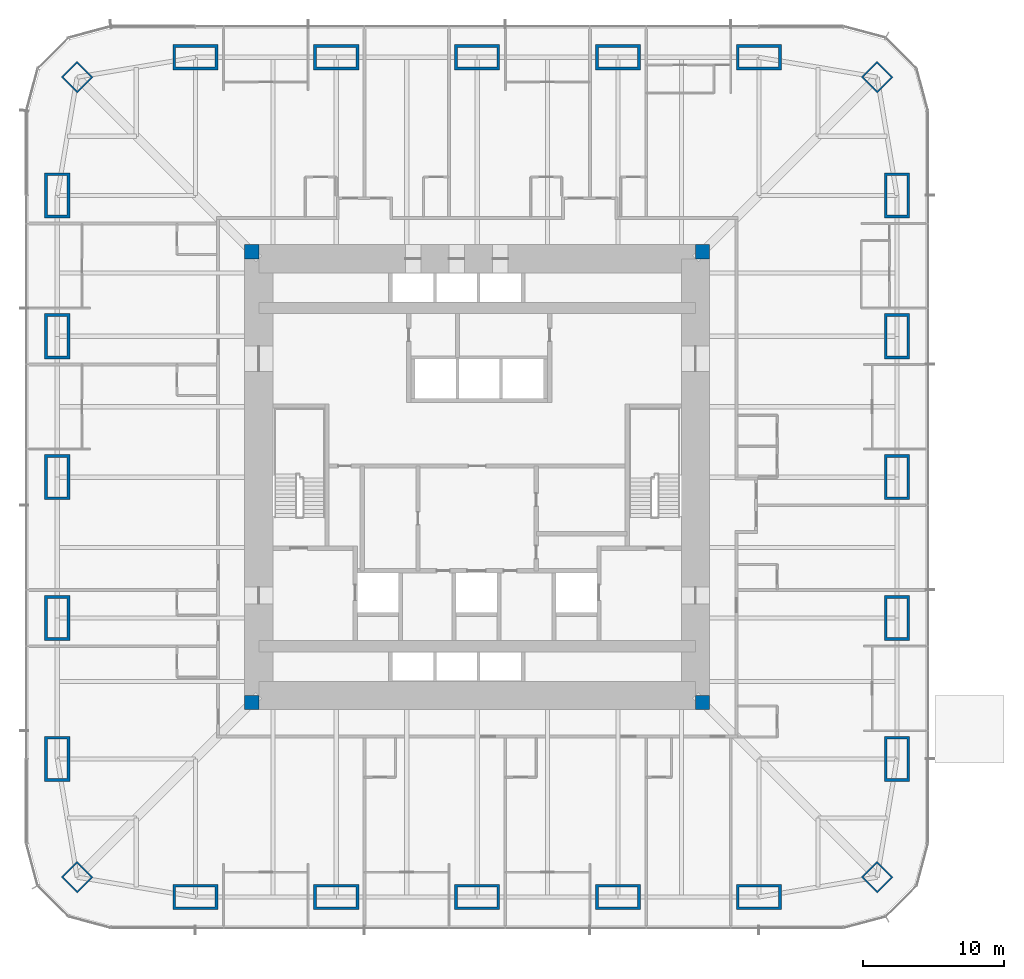
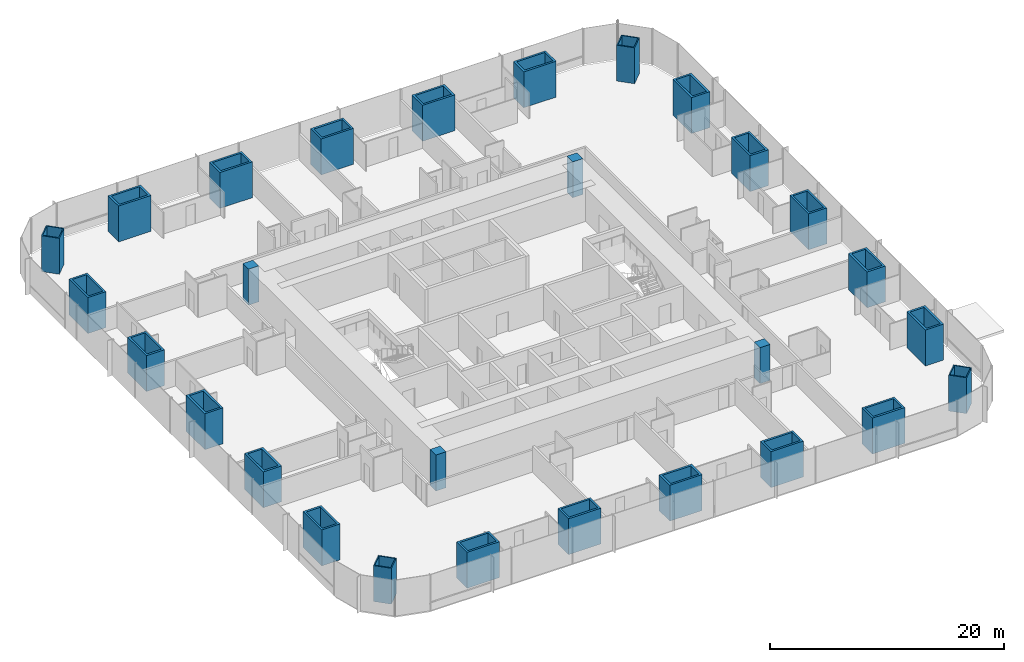
# One storey, part 1 of 20: 28 columns.
"""IFC4 building model written with IfcOpenShell, lengths in metres."""

import ifcopenshell
import ifcopenshell.guid

model = None  # the IFC model being written
_history = None  # IfcOwnerHistory: only IFC2X3 demands one
_inside = {}  # id of a spatial element -> (the spatial element, [elements in it])
_under = {}  # id of a project, library or spatial element -> (it, [spatial elements below it])
_declared = {}  # id of a project -> (the project, [libraries it declares])
_typed = {}  # id of a type object -> (the type object, [elements of that type])
_made_of = {}  # id of a material, layer set ... -> (it, [elements and type objects made of it])


def new_model(schema):
    """Start an empty IFC model of exactly this schema.

    Asked for "IFC4X3", IfcOpenShell would pick the latest addendum, in which some entities
    have other attributes; the version numbers below select the first issue.
    IFC2X3 requires an IfcOwnerHistory on every rooted entity: one is made here for all.
    """
    global model, _history
    if schema == "IFC4X3":
        model = ifcopenshell.file(schema_version=(4, 3, 0, 0))
    else:
        model = ifcopenshell.file(schema=schema)
    _inside.clear()
    _under.clear()
    _declared.clear()
    _typed.clear()
    _made_of.clear()
    _history = None
    if model.schema == "IFC2X3":
        org = make("IfcOrganization", Name="unknown")
        user = make(
            "IfcPersonAndOrganization",
            ThePerson=make("IfcPerson", FamilyName="unknown"),
            TheOrganization=org,
        )
        app = make(
            "IfcApplication",
            ApplicationDeveloper=org,
            Version="unknown",
            ApplicationFullName="unknown",
            ApplicationIdentifier="unknown",
        )
        _history = make(
            "IfcOwnerHistory",
            OwningUser=user,
            OwningApplication=app,
            ChangeAction="ADDED",
            CreationDate=0,
        )
    return model


def make(cls, **values):
    """One entity of the class cls with the attributes given. An attribute that is None is left unset."""
    return model.create_entity(
        cls, **{name: value for name, value in values.items() if value is not None}
    )


def rooted(cls, **values):
    """An entity with a GlobalId (a new one), such as an element, a storey or a relation."""
    return make(cls, GlobalId=ifcopenshell.guid.new(), OwnerHistory=_history, **values)


def si_unit(unit_type, name, prefix=None):
    """IfcSIUnit, for example si_unit("LENGTHUNIT", "METRE", prefix="MILLI")."""
    return make("IfcSIUnit", UnitType=unit_type, Prefix=prefix, Name=name)


def assignment(units):
    """IfcUnitAssignment: the units of a project."""
    return None if units is None else make("IfcUnitAssignment", Units=units)


def point(xyz):
    """IfcCartesianPoint."""
    return None if xyz is None else make("IfcCartesianPoint", Coordinates=xyz)


def direction(xyz):
    """IfcDirection."""
    return None if xyz is None else make("IfcDirection", DirectionRatios=xyz)


def frame(location, z_axis=None, x_axis=None):
    """IfcAxis2Placement3D, a coordinate frame: its origin and axes. An axis left out is left unset."""
    return make(
        "IfcAxis2Placement3D",
        Location=point(location),
        Axis=direction(z_axis),
        RefDirection=direction(x_axis),
    )


def frame_2d(location, x_axis=None):
    """IfcAxis2Placement2D, a coordinate frame in the plane: its origin and x axis."""
    return make(
        "IfcAxis2Placement2D", Location=point(location), RefDirection=direction(x_axis)
    )


def origin():
    """The frame at (0, 0, 0) with its axes left unset."""
    return frame((0.0, 0.0, 0.0))


def origin_2d():
    """The frame at (0, 0) in the plane with its x axis left unset."""
    return frame_2d((0.0, 0.0))


def place(relative_to, where):
    """IfcLocalPlacement: puts the frame where relative to a parent placement (None: the world)."""
    return make(
        "IfcLocalPlacement", PlacementRelTo=relative_to, RelativePlacement=where
    )


def context(
    kind, dimensions, precision=None, world=None, true_north=None, identifier=None
):
    """IfcGeometricRepresentationContext, for example the 3D "Model" context."""
    return make(
        "IfcGeometricRepresentationContext",
        ContextIdentifier=identifier,
        ContextType=kind,
        CoordinateSpaceDimension=dimensions,
        Precision=precision,
        WorldCoordinateSystem=world,
        TrueNorth=true_north,
    )


def subcontext(parent, identifier, kind, view, scale=None):
    """IfcGeometricRepresentationSubContext, for example "Body" below "Model"."""
    return make(
        "IfcGeometricRepresentationSubContext",
        ContextIdentifier=identifier,
        ContextType=kind,
        ParentContext=parent,
        TargetScale=scale,
        TargetView=view,
    )


def project(units=None, contexts=None):
    """IfcProject with its units and contexts."""
    return rooted(
        "IfcProject",
        Name="project",
        RepresentationContexts=contexts,
        UnitsInContext=assignment(units),
    )


def spatial(cls, under=None, at=None, **own):
    """A site, building, storey or space (cls), placed at a placement, below another one or the project."""
    s = rooted(cls, ObjectPlacement=at, **own)
    if under is not None:
        _under.setdefault(under.id(), (under, []))[1].append(s)
    return s


def profile(cls, at=None, kind="AREA", **sizes):
    """A parametric profile (cls). Its sizes go by their IFC names, for example OverallWidth=200.0."""
    return make(cls, ProfileType=kind, Position=at, **sizes)


def rectangle(**sizes):
    """IfcRectangleProfileDef."""
    return profile("IfcRectangleProfileDef", **sizes)


def hollow_rectangle(**sizes):
    """IfcRectangleHollowProfileDef."""
    return profile("IfcRectangleHollowProfileDef", **sizes)


def extrude(swept, where, along, depth):
    """IfcExtrudedAreaSolid: the profile swept, set in the frame where, extruded along a direction by depth."""
    return make(
        "IfcExtrudedAreaSolid",
        SweptArea=swept,
        Position=where,
        ExtrudedDirection=direction(along),
        Depth=depth,
    )


def shape(context_of_items, identifier, shape_type, items):
    """IfcShapeRepresentation: the items that make up one representation, for example the "Body"."""
    return make(
        "IfcShapeRepresentation",
        ContextOfItems=context_of_items,
        RepresentationIdentifier=identifier,
        RepresentationType=shape_type,
        Items=items,
    )


def material(Name=None, Category=None):
    """IfcMaterial."""
    return make("IfcMaterial", Name=Name, Category=Category)


def material_profile(
    of_material, cross_section, Name=None, Category=None, Priority=None
):
    """IfcMaterialProfile: a cross section and its material."""
    return make(
        "IfcMaterialProfile",
        Name=Name,
        Material=of_material,
        Profile=cross_section,
        Priority=Priority,
        Category=Category,
    )


def profile_set(profiles, Name=None, composite=None):
    """IfcMaterialProfileSet."""
    return make(
        "IfcMaterialProfileSet",
        Name=Name,
        MaterialProfiles=profiles,
        CompositeProfile=composite,
    )


def made_of(thing, what):
    """Note that an element or type object is made of a material, layer set ...; save() writes the relation."""
    if what is not None:
        _made_of.setdefault(what.id(), (what, []))[1].append(thing)
    return thing


def type_object(cls, material=None, **own):
    """A type object (cls), such as IfcWallType, which elements share."""
    return made_of(rooted(cls, **own), material)


def element(
    cls,
    number,
    at=None,
    inside=None,
    cuts=None,
    type_object=None,
    material=None,
    context=None,
    identifier="Body",
    shape_type=None,
    held_by="IfcProductDefinitionShape",
    body=None,
    shapes=None,
    **own,
):
    """One element of the class cls, such as IfcWall. Its Tag is "e" and its number.

    at: its placement. inside: the storey or other place that contains it. cuts: it is an
    opening in that element (IfcRelVoidsElement). A single representation is given by context,
    identifier, shape_type and body (its items); several are given by shapes. held_by: the class
    of the entity that holds the representations. save() writes the other relations.
    """
    e = rooted(cls, Tag="e%d" % number, ObjectPlacement=at, **own)
    if body is not None:
        shapes = [shape(context, identifier, shape_type, body)]
    if shapes is not None:
        e.Representation = make(held_by, Representations=shapes)
    if inside is not None:
        _inside.setdefault(inside.id(), (inside, []))[1].append(e)
    if cuts is not None:
        rooted(
            "IfcRelVoidsElement", RelatingBuildingElement=cuts, RelatedOpeningElement=e
        )
    if type_object is not None:
        _typed.setdefault(type_object.id(), (type_object, []))[1].append(e)
    return made_of(e, material)


def aggregate(whole, parts):
    """IfcRelAggregates: a whole, such as a stair, and the parts it consists of."""
    return rooted("IfcRelAggregates", RelatingObject=whole, RelatedObjects=parts)


def save(model, path):
    """Write the relations noted so far, then the file.

    IfcRelAggregates (storeys below a building ...), IfcRelContainedInSpatialStructure (elements
    in a storey), IfcRelDefinesByType, IfcRelAssociatesMaterial and IfcRelDeclares: one each for
    every whole, place, type object, material and project.
    """
    for whole, parts in _under.values():
        aggregate(whole, parts)
    for where, things in _inside.values():
        rooted(
            "IfcRelContainedInSpatialStructure",
            RelatedElements=things,
            RelatingStructure=where,
        )
    for kind, things in _typed.values():
        rooted("IfcRelDefinesByType", RelatedObjects=things, RelatingType=kind)
    for what, things in _made_of.values():
        rooted("IfcRelAssociatesMaterial", RelatedObjects=things, RelatingMaterial=what)
    for by, libraries in _declared.values():
        rooted("IfcRelDeclares", RelatingContext=by, RelatedDefinitions=libraries)
    model.write(path)


model = new_model("IFC4")

# Units and contexts
model_context = context("Model", 3, precision=1e-05, world=origin(), true_north=direction((0.0, 1.0)))
body_context = subcontext(model_context, "Body", "Model", "MODEL_VIEW")
ifc_project = project(units=[si_unit("LENGTHUNIT", "METRE"), si_unit("AREAUNIT", "SQUARE_METRE"), si_unit("VOLUMEUNIT", "CUBIC_METRE"), si_unit("PLANEANGLEUNIT", "RADIAN"), si_unit("MASSUNIT", "GRAM", prefix="KILO")], contexts=[model_context])

# Site, building, storey
site_placement = place(None, origin())
site = spatial("IfcSite", under=ifc_project, at=site_placement, CompositionType="ELEMENT")
building_placement = place(site_placement, origin())
building = spatial("IfcBuilding", under=site, at=building_placement, Name="Khuree Lantern Residences", CompositionType="ELEMENT")
storey_placement = place(building_placement, frame((0.0, 0.0, 24.75)))
storey = spatial("IfcBuildingStorey", under=building, at=storey_placement, Name="L05", CompositionType="ELEMENT", Elevation=24.75)

# Columns
ifc_material_1 = material(Name="Steel S355 CFT welded box", Category="steel")
ifc_material_profile_1 = material_profile(ifc_material_1, hollow_rectangle(XDim=1.60009765625, YDim=1.60009765625, WallThickness=0.10009765625, at=origin_2d()), Name="WELDED BOX 1600X1600X100")
ifc_profile_set_1 = profile_set([ifc_material_profile_1], Name="Steel S355 CFT welded box")
column_type_1 = type_object("IfcColumnType", Name="CC1600 PERIMETER CORNER MEGA COLUMN WELDED BOX 1600X1600X100", PredefinedType="COLUMN", material=ifc_profile_set_1)
for number, where, z_axis, x_axis, name in (
    (1, (28.39404296875, 28.39404296875, 0.0), (0.0, 0.0, 1.0), (0.707106781187, -0.707106781187, 0.0), "Perimeter column NE"),
    (2, (28.39404296875, -28.39404296875, 0.0), (0.0, 0.0, 1.0), (0.707106781187, 0.707106781187, 0.0), "Perimeter column SE"),
    (3, (-28.39404296875, -28.39404296875, 0.0), (0.0, 0.0, 1.0), (0.707106781187, -0.707106781187, 0.0), "Perimeter column SW"),
    (4, (-28.39404296875, 28.39404296875, 0.0), (0.0, 0.0, 1.0), (0.707106781187, 0.707106781187, 0.0), "Perimeter column NW"),
):
    element("IfcColumn", number, at=place(storey_placement, frame(where, z_axis=z_axis, x_axis=x_axis)), inside=storey, type_object=column_type_1, Name=name, PredefinedType="COLUMN", context=body_context, shape_type="SweptSolid", body=[
        extrude(hollow_rectangle(XDim=1.60009765625, YDim=1.60009765625, WallThickness=0.10009765625, at=origin_2d()), origin(), (0.0, 0.0, 1.0), 3.75),
    ])
ifc_material_2 = material(Name="Concrete C70/85", Category="concrete")
ifc_material_profile_2 = material_profile(ifc_material_2, rectangle(XDim=1.0, YDim=1.0, at=origin_2d()), Name="RC 1000X1000")
ifc_profile_set_2 = profile_set([ifc_material_profile_2], Name="Concrete C70/85")
column_type_2 = type_object("IfcColumnType", Name="CP1000-C70 CORE CORNER PIER C70 RC 1000X1000", PredefinedType="COLUMN", material=ifc_profile_set_2)
for number, where, z_axis, x_axis, name in (
    (5, (16.0, 16.0, -0.25), (0.0, 0.0, 1.0), (1.0, 0.0, 0.0), "Core corner pier NE"),
    (6, (-16.0, 16.0, -0.25), (0.0, 0.0, 1.0), (1.0, 0.0, 0.0), "Core corner pier NW"),
    (7, (-16.0, -16.0, -0.25), (0.0, 0.0, 1.0), (1.0, 0.0, 0.0), "Core corner pier SW"),
    (8, (16.0, -16.0, -0.25), (0.0, 0.0, 1.0), (1.0, 0.0, 0.0), "Core corner pier SE"),
):
    element("IfcColumn", number, at=place(storey_placement, frame(where, z_axis=z_axis, x_axis=x_axis)), inside=storey, type_object=column_type_2, Name=name, PredefinedType="COLUMN", context=body_context, shape_type="SweptSolid", body=[
        extrude(rectangle(XDim=1.0, YDim=1.0, at=origin_2d()), origin(), (0.0, 0.0, 1.0), 3.75),
    ])
ifc_material_profile_3 = material_profile(ifc_material_1, hollow_rectangle(XDim=3.199951171875, YDim=1.800048828125, WallThickness=0.199951171875, at=origin_2d()), Name="WELDED BOX 3200X1800X200")
ifc_profile_set_3 = profile_set([ifc_material_profile_3], Name="Steel S355 CFT welded box")
column_type_3 = type_object("IfcColumnType", Name="SC1 PERIMETER MEGA COLUMN WELDED BOX 3200X1800X200", PredefinedType="COLUMN", material=ifc_profile_set_3)
for number, where, z_axis, x_axis, name in (
    (9, (-20.0, 29.800048828125, 0.0), (0.0, 0.0, 1.0), (1.0, 0.0, 0.0), "Perimeter column N1"),
    (10, (-10.0, 29.800048828125, 0.0), (0.0, 0.0, 1.0), (1.0, 0.0, 0.0), "Perimeter column N2"),
    (11, (0.0, 29.800048828125, 0.0), (0.0, 0.0, 1.0), (1.0, 0.0, 0.0), "Perimeter column N3"),
    (12, (10.0, 29.800048828125, 0.0), (0.0, 0.0, 1.0), (1.0, 0.0, 0.0), "Perimeter column N4"),
    (13, (20.0, 29.800048828125, 0.0), (0.0, 0.0, 1.0), (1.0, 0.0, 0.0), "Perimeter column N5"),
    (14, (29.800048828125, 20.0, 0.0), (0.0, 0.0, 1.0), (0.0, 1.0, 0.0), "Perimeter column E1"),
    (15, (29.800048828125, 10.0, 0.0), (0.0, 0.0, 1.0), (0.0, 1.0, 0.0), "Perimeter column E2"),
    (16, (29.800048828125, 0.0, 0.0), (0.0, 0.0, 1.0), (0.0, 1.0, 0.0), "Perimeter column E3"),
    (17, (29.800048828125, -10.0, 0.0), (0.0, 0.0, 1.0), (0.0, 1.0, 0.0), "Perimeter column E4"),
    (18, (29.800048828125, -20.0, 0.0), (0.0, 0.0, 1.0), (0.0, 1.0, 0.0), "Perimeter column E5"),
    (19, (20.0, -29.800048828125, 0.0), (0.0, 0.0, 1.0), (1.0, 0.0, 0.0), "Perimeter column S1"),
    (20, (10.0, -29.800048828125, 0.0), (0.0, 0.0, 1.0), (1.0, 0.0, 0.0), "Perimeter column S2"),
    (21, (0.0, -29.800048828125, 0.0), (0.0, 0.0, 1.0), (1.0, 0.0, 0.0), "Perimeter column S3"),
    (22, (-10.0, -29.800048828125, 0.0), (0.0, 0.0, 1.0), (1.0, 0.0, 0.0), "Perimeter column S4"),
    (23, (-20.0, -29.800048828125, 0.0), (0.0, 0.0, 1.0), (1.0, 0.0, 0.0), "Perimeter column S5"),
    (24, (-29.800048828125, -20.0, 0.0), (0.0, 0.0, 1.0), (0.0, 1.0, 0.0), "Perimeter column W1"),
    (25, (-29.800048828125, -10.0, 0.0), (0.0, 0.0, 1.0), (0.0, 1.0, 0.0), "Perimeter column W2"),
    (26, (-29.800048828125, 0.0, 0.0), (0.0, 0.0, 1.0), (0.0, 1.0, 0.0), "Perimeter column W3"),
    (27, (-29.800048828125, 10.0, 0.0), (0.0, 0.0, 1.0), (0.0, 1.0, 0.0), "Perimeter column W4"),
    (28, (-29.800048828125, 20.0, 0.0), (0.0, 0.0, 1.0), (0.0, 1.0, 0.0), "Perimeter column W5"),
):
    element("IfcColumn", number, at=place(storey_placement, frame(where, z_axis=z_axis, x_axis=x_axis)), inside=storey, type_object=column_type_3, Name=name, PredefinedType="COLUMN", context=body_context, shape_type="SweptSolid", body=[
        extrude(hollow_rectangle(XDim=3.199951171875, YDim=1.800048828125, WallThickness=0.199951171875, at=origin_2d()), origin(), (0.0, 0.0, 1.0), 3.75),
    ])

save(model, "model.ifc")
